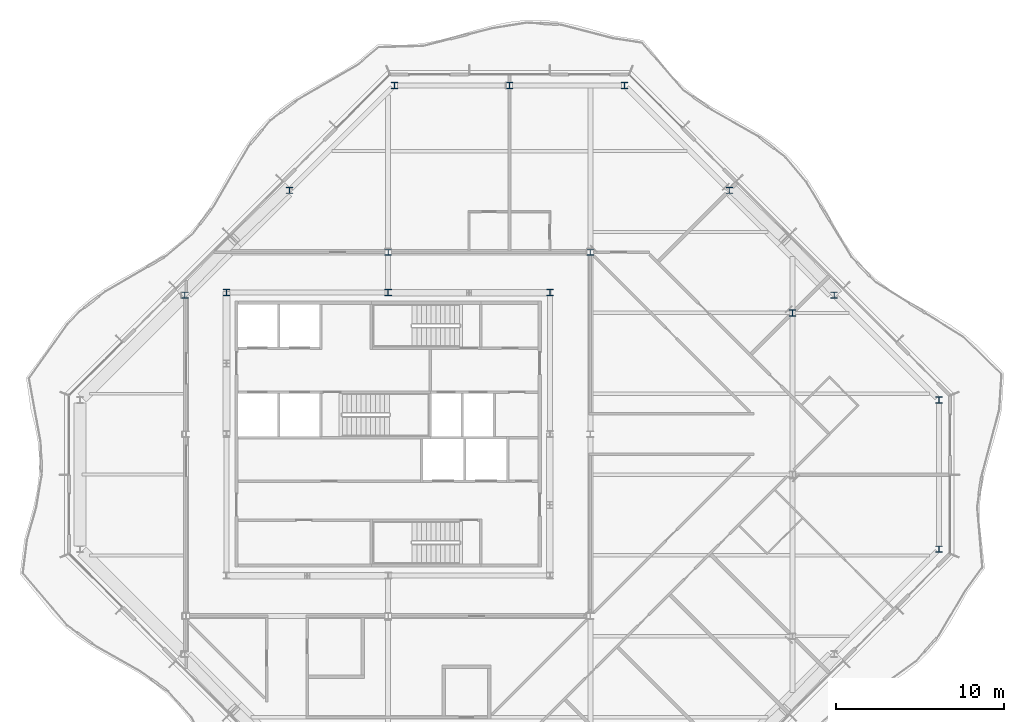
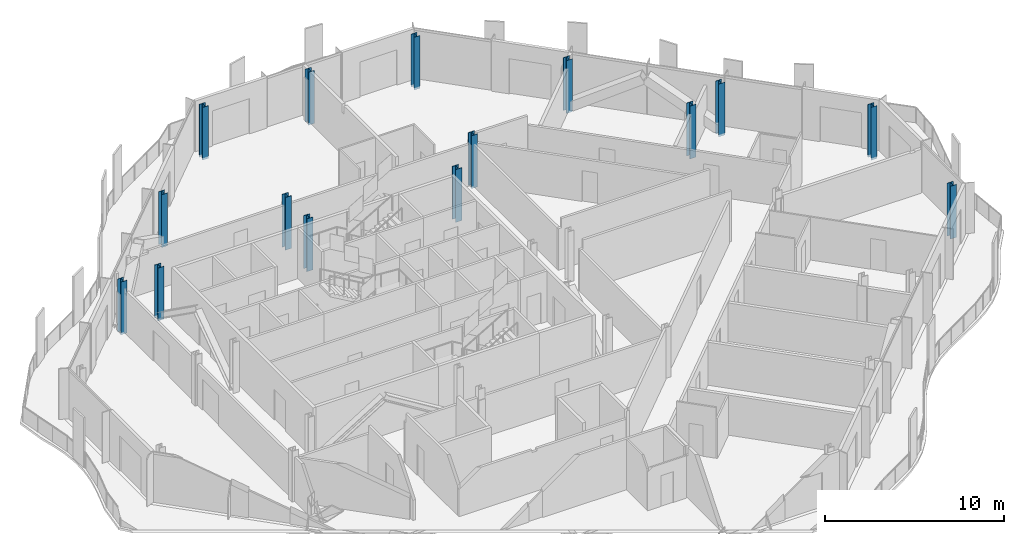
# One storey, part 2 of 17: 15 columns.
"""IFC4 building model written with IfcOpenShell, lengths in metres."""

from ifc_helpers import new_model, si_unit, direction, frame, origin, origin_2d, place, context, subcontext, project, spatial, i_section, extrude, material, material_profile, profile_set, type_object, element, save


model = new_model("IFC4")

# Units and contexts
model_context = context("Model", 3, precision=1e-05, world=origin(), true_north=direction((0.0, 1.0)))
body_context = subcontext(model_context, "Body", "Model", "MODEL_VIEW")
ifc_project = project(units=[si_unit("LENGTHUNIT", "METRE"), si_unit("AREAUNIT", "SQUARE_METRE"), si_unit("VOLUMEUNIT", "CUBIC_METRE"), si_unit("PLANEANGLEUNIT", "RADIAN"), si_unit("MASSUNIT", "GRAM", prefix="KILO")], contexts=[model_context])

# Site, building, storey
site_placement = place(None, origin())
site = spatial("IfcSite", under=ifc_project, at=site_placement, CompositionType="ELEMENT")
building_placement = place(site_placement, origin())
building = spatial("IfcBuilding", under=site, at=building_placement, Name="Cairn Pilgrim Tower", CompositionType="ELEMENT")
storey_placement = place(building_placement, frame((0.0, 0.0, 281.39990234375)))
storey = spatial("IfcBuildingStorey", under=building, at=storey_placement, Name="L72", CompositionType="ELEMENT", Elevation=281.39990234375)

# Columns
ifc_material = material(Name="Structural steel S355J2", Category="steel")
ifc_material_profile_1 = material_profile(ifc_material, i_section(OverallWidth=0.39111328125, OverallDepth=0.367919921875, WebThickness=0.014892578125, FlangeThickness=0.02392578125, FilletRadius=0.014892578125, at=origin_2d()), Name="HD 400x187")
ifc_profile_set_1 = profile_set([ifc_material_profile_1], Name="Structural steel S355J2")
column_type_1 = type_object("IfcColumnType", Name="HD 400x187", PredefinedType="COLUMN", material=ifc_profile_set_1)
for number, where, z_axis, x_axis, name in (
    (1, (39.89990234375, -4.42724609375, -0.14990234375), (0.0, 0.0, 1.0), (1.0, 0.0, 0.0), "PC4-E1"),
    (2, (39.89990234375, 4.42724609375, -0.14990234375), (0.0, 0.0, 1.0), (1.0, 0.0, 0.0), "PC4-NE1"),
    (3, (33.67578125, 10.651611328125, -0.14990234375), (0.0, 0.0, 1.0), (1.0, 0.0, 0.0), "PC4-NE2"),
    (4, (27.451416015625, 16.875732421875, -0.14990234375), (0.0, 0.0, 1.0), (1.0, 0.0, 0.0), "PC4-NE3"),
    (5, (21.227294921875, 23.10009765625, -0.14990234375), (0.0, 0.0, 1.0), (1.0, 0.0, 0.0), "PC4-N1"),
    (6, (14.39990234375, 23.10009765625, -0.14990234375), (0.0, 0.0, 1.0), (1.0, 0.0, 0.0), "PC4-N2"),
    (7, (7.57275390625, 23.10009765625, -0.14990234375), (0.0, 0.0, 1.0), (1.0, 0.0, 0.0), "PC4-NW1"),
    (8, (1.348388671875, 16.875732421875, -0.14990234375), (0.0, 0.0, 1.0), (1.0, 0.0, 0.0), "PC4-NW2"),
    (9, (-4.875732421875, 10.651611328125, -0.14990234375), (0.0, 0.0, 1.0), (1.0, 0.0, 0.0), "PC4-NW3"),
):
    element("IfcColumn", number, at=place(storey_placement, frame(where, z_axis=z_axis, x_axis=x_axis)), inside=storey, type_object=column_type_1, Name=name, PredefinedType="COLUMN", context=body_context, shape_type="SweptSolid", body=[
        extrude(i_section(OverallWidth=0.39111328125, OverallDepth=0.367919921875, WebThickness=0.014892578125, FlangeThickness=0.02392578125, FilletRadius=0.014892578125, at=origin_2d()), origin(), (0.0, 0.0, 1.0), 3.60009765625),
    ])
ifc_material_profile_2 = material_profile(ifc_material, i_section(OverallWidth=0.39404296875, OverallDepth=0.375, WebThickness=0.017333984375, FlangeThickness=0.027587890625, FilletRadius=0.014892578125, at=origin_2d()), Name="HD 400x216")
ifc_profile_set_2 = profile_set([ifc_material_profile_2], Name="Structural steel S355J2")
column_type_2 = type_object("IfcColumnType", Name="HD 400x216", PredefinedType="COLUMN", material=ifc_profile_set_2)
for number, where, z_axis, x_axis, name in (
    (10, (7.199951171875, 13.199951171875, -0.14990234375), (0.0, 0.0, 1.0), (1.0, 0.0, 0.0), "IC-7"),
    (11, (19.199951171875, 13.199951171875, -0.14990234375), (0.0, 0.0, 1.0), (1.0, 0.0, 0.0), "IC-8"),
    (12, (31.199951171875, 9.60009765625, -0.14990234375), (0.0, 0.0, 1.0), (1.0, 0.0, 0.0), "WC-WE+2"),
):
    element("IfcColumn", number, at=place(storey_placement, frame(where, z_axis=z_axis, x_axis=x_axis)), inside=storey, type_object=column_type_2, Name=name, PredefinedType="COLUMN", context=body_context, shape_type="SweptSolid", body=[
        extrude(i_section(OverallWidth=0.39404296875, OverallDepth=0.375, WebThickness=0.017333984375, FlangeThickness=0.027587890625, FilletRadius=0.014892578125, at=origin_2d()), origin(), (0.0, 0.0, 1.0), 3.60009765625),
    ])
ifc_material_profile_3 = material_profile(ifc_material, i_section(OverallWidth=0.39794921875, OverallDepth=0.386962890625, WebThickness=0.02099609375, FlangeThickness=0.033203125, FilletRadius=0.014892578125, at=origin_2d()), Name="HD 400x262")
ifc_profile_set_3 = profile_set([ifc_material_profile_3], Name="Structural steel S355J2")
column_type_3 = type_object("IfcColumnType", Name="HD 400x262", PredefinedType="COLUMN", material=ifc_profile_set_3)
for number, where, z_axis, x_axis, name in (
    (13, (-2.39990234375, 10.800048828125, -0.14990234375), (0.0, 0.0, 1.0), (1.0, 0.0, 0.0), "KC-6"),
    (14, (7.199951171875, 10.800048828125, -0.14990234375), (0.0, 0.0, 1.0), (1.0, 0.0, 0.0), "KC-7"),
    (15, (16.800048828125, 10.800048828125, -0.14990234375), (0.0, 0.0, 1.0), (1.0, 0.0, 0.0), "KC-8"),
):
    element("IfcColumn", number, at=place(storey_placement, frame(where, z_axis=z_axis, x_axis=x_axis)), inside=storey, type_object=column_type_3, Name=name, PredefinedType="COLUMN", context=body_context, shape_type="SweptSolid", body=[
        extrude(i_section(OverallWidth=0.39794921875, OverallDepth=0.386962890625, WebThickness=0.02099609375, FlangeThickness=0.033203125, FilletRadius=0.014892578125, at=origin_2d()), origin(), (0.0, 0.0, 1.0), 3.60009765625),
    ])

save(model, "model.ifc")
